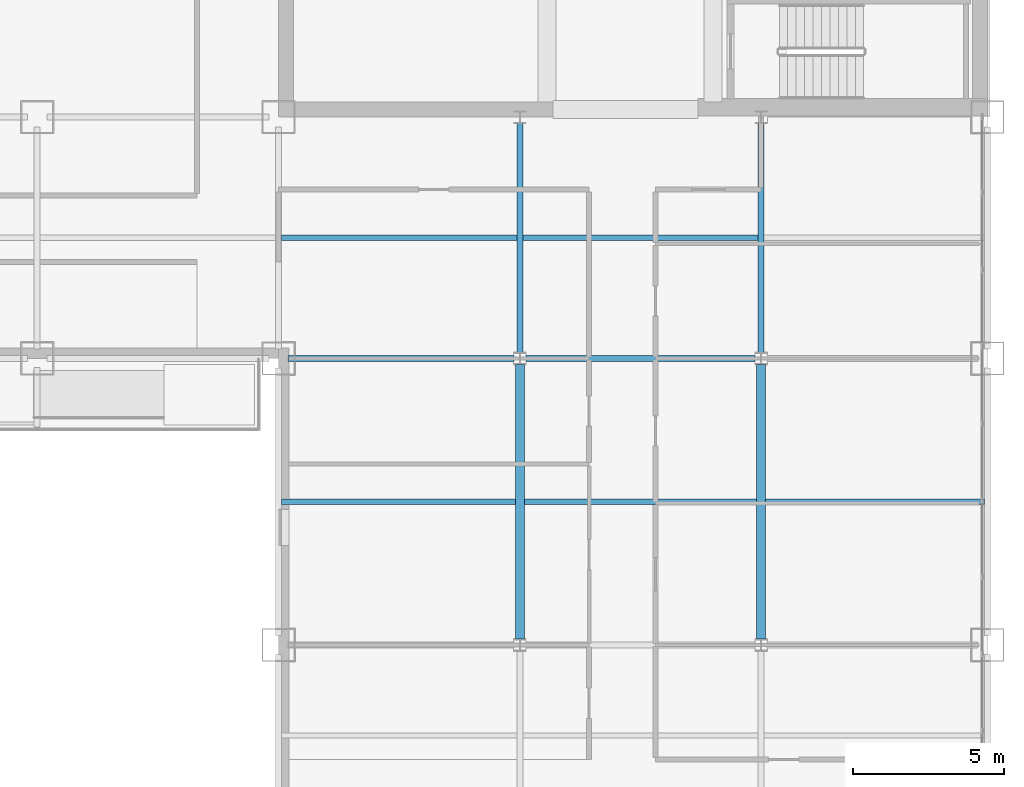
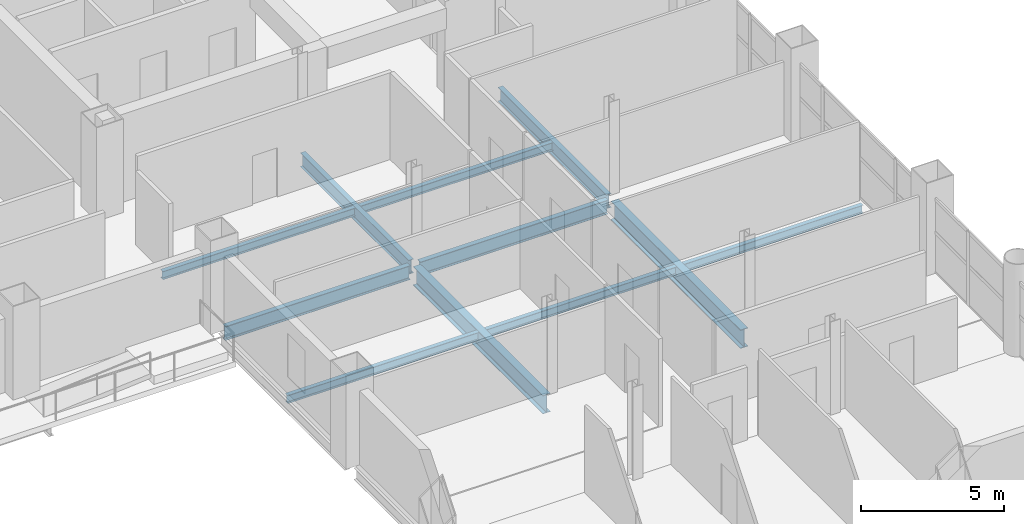
# One storey, part 6 of 16: 11 beams.
"""IFC4 building model written with IfcOpenShell, lengths in metres."""

import ifcopenshell
import ifcopenshell.guid

model = None  # the IFC model being written
_history = None  # IfcOwnerHistory: only IFC2X3 demands one
_inside = {}  # id of a spatial element -> (the spatial element, [elements in it])
_under = {}  # id of a project, library or spatial element -> (it, [spatial elements below it])
_declared = {}  # id of a project -> (the project, [libraries it declares])
_typed = {}  # id of a type object -> (the type object, [elements of that type])
_made_of = {}  # id of a material, layer set ... -> (it, [elements and type objects made of it])


def new_model(schema):
    """Start an empty IFC model of exactly this schema.

    Asked for "IFC4X3", IfcOpenShell would pick the latest addendum, in which some entities
    have other attributes; the version numbers below select the first issue.
    IFC2X3 requires an IfcOwnerHistory on every rooted entity: one is made here for all.
    """
    global model, _history
    if schema == "IFC4X3":
        model = ifcopenshell.file(schema_version=(4, 3, 0, 0))
    else:
        model = ifcopenshell.file(schema=schema)
    _inside.clear()
    _under.clear()
    _declared.clear()
    _typed.clear()
    _made_of.clear()
    _history = None
    if model.schema == "IFC2X3":
        org = make("IfcOrganization", Name="unknown")
        user = make(
            "IfcPersonAndOrganization",
            ThePerson=make("IfcPerson", FamilyName="unknown"),
            TheOrganization=org,
        )
        app = make(
            "IfcApplication",
            ApplicationDeveloper=org,
            Version="unknown",
            ApplicationFullName="unknown",
            ApplicationIdentifier="unknown",
        )
        _history = make(
            "IfcOwnerHistory",
            OwningUser=user,
            OwningApplication=app,
            ChangeAction="ADDED",
            CreationDate=0,
        )
    return model


def make(cls, **values):
    """One entity of the class cls with the attributes given. An attribute that is None is left unset."""
    return model.create_entity(
        cls, **{name: value for name, value in values.items() if value is not None}
    )


def rooted(cls, **values):
    """An entity with a GlobalId (a new one), such as an element, a storey or a relation."""
    return make(cls, GlobalId=ifcopenshell.guid.new(), OwnerHistory=_history, **values)


def si_unit(unit_type, name, prefix=None):
    """IfcSIUnit, for example si_unit("LENGTHUNIT", "METRE", prefix="MILLI")."""
    return make("IfcSIUnit", UnitType=unit_type, Prefix=prefix, Name=name)


def assignment(units):
    """IfcUnitAssignment: the units of a project."""
    return None if units is None else make("IfcUnitAssignment", Units=units)


def point(xyz):
    """IfcCartesianPoint."""
    return None if xyz is None else make("IfcCartesianPoint", Coordinates=xyz)


def direction(xyz):
    """IfcDirection."""
    return None if xyz is None else make("IfcDirection", DirectionRatios=xyz)


def frame(location, z_axis=None, x_axis=None):
    """IfcAxis2Placement3D, a coordinate frame: its origin and axes. An axis left out is left unset."""
    return make(
        "IfcAxis2Placement3D",
        Location=point(location),
        Axis=direction(z_axis),
        RefDirection=direction(x_axis),
    )


def frame_2d(location, x_axis=None):
    """IfcAxis2Placement2D, a coordinate frame in the plane: its origin and x axis."""
    return make(
        "IfcAxis2Placement2D", Location=point(location), RefDirection=direction(x_axis)
    )


def origin():
    """The frame at (0, 0, 0) with its axes left unset."""
    return frame((0.0, 0.0, 0.0))


def origin_2d():
    """The frame at (0, 0) in the plane with its x axis left unset."""
    return frame_2d((0.0, 0.0))


def place(relative_to, where):
    """IfcLocalPlacement: puts the frame where relative to a parent placement (None: the world)."""
    return make(
        "IfcLocalPlacement", PlacementRelTo=relative_to, RelativePlacement=where
    )


def context(
    kind, dimensions, precision=None, world=None, true_north=None, identifier=None
):
    """IfcGeometricRepresentationContext, for example the 3D "Model" context."""
    return make(
        "IfcGeometricRepresentationContext",
        ContextIdentifier=identifier,
        ContextType=kind,
        CoordinateSpaceDimension=dimensions,
        Precision=precision,
        WorldCoordinateSystem=world,
        TrueNorth=true_north,
    )


def subcontext(parent, identifier, kind, view, scale=None):
    """IfcGeometricRepresentationSubContext, for example "Body" below "Model"."""
    return make(
        "IfcGeometricRepresentationSubContext",
        ContextIdentifier=identifier,
        ContextType=kind,
        ParentContext=parent,
        TargetScale=scale,
        TargetView=view,
    )


def project(units=None, contexts=None):
    """IfcProject with its units and contexts."""
    return rooted(
        "IfcProject",
        Name="project",
        RepresentationContexts=contexts,
        UnitsInContext=assignment(units),
    )


def spatial(cls, under=None, at=None, **own):
    """A site, building, storey or space (cls), placed at a placement, below another one or the project."""
    s = rooted(cls, ObjectPlacement=at, **own)
    if under is not None:
        _under.setdefault(under.id(), (under, []))[1].append(s)
    return s


def profile(cls, at=None, kind="AREA", **sizes):
    """A parametric profile (cls). Its sizes go by their IFC names, for example OverallWidth=200.0."""
    return make(cls, ProfileType=kind, Position=at, **sizes)


def i_section(**sizes):
    """IfcIShapeProfileDef."""
    return profile("IfcIShapeProfileDef", **sizes)


def extrude(swept, where, along, depth):
    """IfcExtrudedAreaSolid: the profile swept, set in the frame where, extruded along a direction by depth."""
    return make(
        "IfcExtrudedAreaSolid",
        SweptArea=swept,
        Position=where,
        ExtrudedDirection=direction(along),
        Depth=depth,
    )


def shape(context_of_items, identifier, shape_type, items):
    """IfcShapeRepresentation: the items that make up one representation, for example the "Body"."""
    return make(
        "IfcShapeRepresentation",
        ContextOfItems=context_of_items,
        RepresentationIdentifier=identifier,
        RepresentationType=shape_type,
        Items=items,
    )


def material(Name=None, Category=None):
    """IfcMaterial."""
    return make("IfcMaterial", Name=Name, Category=Category)


def material_profile(
    of_material, cross_section, Name=None, Category=None, Priority=None
):
    """IfcMaterialProfile: a cross section and its material."""
    return make(
        "IfcMaterialProfile",
        Name=Name,
        Material=of_material,
        Profile=cross_section,
        Priority=Priority,
        Category=Category,
    )


def profile_set(profiles, Name=None, composite=None):
    """IfcMaterialProfileSet."""
    return make(
        "IfcMaterialProfileSet",
        Name=Name,
        MaterialProfiles=profiles,
        CompositeProfile=composite,
    )


def made_of(thing, what):
    """Note that an element or type object is made of a material, layer set ...; save() writes the relation."""
    if what is not None:
        _made_of.setdefault(what.id(), (what, []))[1].append(thing)
    return thing


def type_object(cls, material=None, **own):
    """A type object (cls), such as IfcWallType, which elements share."""
    return made_of(rooted(cls, **own), material)


def element(
    cls,
    number,
    at=None,
    inside=None,
    cuts=None,
    type_object=None,
    material=None,
    context=None,
    identifier="Body",
    shape_type=None,
    held_by="IfcProductDefinitionShape",
    body=None,
    shapes=None,
    **own,
):
    """One element of the class cls, such as IfcWall. Its Tag is "e" and its number.

    at: its placement. inside: the storey or other place that contains it. cuts: it is an
    opening in that element (IfcRelVoidsElement). A single representation is given by context,
    identifier, shape_type and body (its items); several are given by shapes. held_by: the class
    of the entity that holds the representations. save() writes the other relations.
    """
    e = rooted(cls, Tag="e%d" % number, ObjectPlacement=at, **own)
    if body is not None:
        shapes = [shape(context, identifier, shape_type, body)]
    if shapes is not None:
        e.Representation = make(held_by, Representations=shapes)
    if inside is not None:
        _inside.setdefault(inside.id(), (inside, []))[1].append(e)
    if cuts is not None:
        rooted(
            "IfcRelVoidsElement", RelatingBuildingElement=cuts, RelatedOpeningElement=e
        )
    if type_object is not None:
        _typed.setdefault(type_object.id(), (type_object, []))[1].append(e)
    return made_of(e, material)


def aggregate(whole, parts):
    """IfcRelAggregates: a whole, such as a stair, and the parts it consists of."""
    return rooted("IfcRelAggregates", RelatingObject=whole, RelatedObjects=parts)


def save(model, path):
    """Write the relations noted so far, then the file.

    IfcRelAggregates (storeys below a building ...), IfcRelContainedInSpatialStructure (elements
    in a storey), IfcRelDefinesByType, IfcRelAssociatesMaterial and IfcRelDeclares: one each for
    every whole, place, type object, material and project.
    """
    for whole, parts in _under.values():
        aggregate(whole, parts)
    for where, things in _inside.values():
        rooted(
            "IfcRelContainedInSpatialStructure",
            RelatedElements=things,
            RelatingStructure=where,
        )
    for kind, things in _typed.values():
        rooted("IfcRelDefinesByType", RelatedObjects=things, RelatingType=kind)
    for what, things in _made_of.values():
        rooted("IfcRelAssociatesMaterial", RelatedObjects=things, RelatingMaterial=what)
    for by, libraries in _declared.values():
        rooted("IfcRelDeclares", RelatingContext=by, RelatedDefinitions=libraries)
    model.write(path)


model = new_model("IFC4")

# Units and contexts
model_context = context("Model", 3, precision=1e-05, world=origin(), true_north=direction((0.0, 1.0)))
body_context = subcontext(model_context, "Body", "Model", "MODEL_VIEW")
ifc_project = project(units=[si_unit("LENGTHUNIT", "METRE"), si_unit("AREAUNIT", "SQUARE_METRE"), si_unit("VOLUMEUNIT", "CUBIC_METRE"), si_unit("PLANEANGLEUNIT", "RADIAN"), si_unit("MASSUNIT", "GRAM", prefix="KILO")], contexts=[model_context])

# Site, building, storey
site_placement = place(None, origin())
site = spatial("IfcSite", under=ifc_project, at=site_placement, CompositionType="ELEMENT")
building_placement = place(site_placement, origin())
building = spatial("IfcBuilding", under=site, at=building_placement, Name="Qianrong Seaharbour Tower", CompositionType="ELEMENT")
storey_placement = place(building_placement, frame((0.0, 0.0, 123.0)))
storey = spatial("IfcBuildingStorey", under=building, at=storey_placement, Name="L29", CompositionType="ELEMENT", Elevation=123.0)

# Beams
ifc_material_1 = material(Name="Structural steel SN490B", Category="steel")
ifc_material_profile_1 = material_profile(ifc_material_1, i_section(OverallWidth=0.199951171875, OverallDepth=0.60009765625, WebThickness=0.010986328125, FlangeThickness=0.01708984375, FilletRadius=0.02197265625, at=origin_2d()), Name="H600x200x11x17")
ifc_profile_set_1 = profile_set([ifc_material_profile_1], Name="Structural steel SN490B")
beam_type_1 = type_object("IfcBeamType", Name="BM-G-600", PredefinedType="BEAM", material=ifc_profile_set_1)
beam_1_placement = place(storey_placement, frame((40.820068359375, 28.0, -0.534912109375), z_axis=(1.0, 0.0, 0.0), x_axis=(0.0, 1.0, 0.0)))
element("IfcBeam", 1, at=beam_1_placement, inside=storey, type_object=beam_type_1, Name="L29 Primary Girder GE G6-G7", PredefinedType="BEAM", context=body_context, shape_type="SweptSolid", body=[
    extrude(i_section(OverallWidth=0.199951171875, OverallDepth=0.60009765625, WebThickness=0.010986328125, FlangeThickness=0.01708984375, FilletRadius=0.02197265625, at=origin_2d()), origin(), (0.0, 0.0, 1.0), 7.47998046875),
])
for number, where, z_axis, x_axis, name in (
    (2, (48.699951171875, 28.0, -0.534912109375), (1.0, 0.0, 0.0), (0.0, 1.0, 0.0), "L29 Primary Girder GE G7-G8"),
    (3, (48.5, 28.199951171875, -0.534912109375), (0.0, 1.0, 0.0), (-1.0, 0.0, 0.0), "L29 Primary Girder G7 GE-GF"),
    (4, (56.5, 28.199951171875, -0.534912109375), (0.0, 1.0, 0.0), (-1.0, 0.0, 0.0), "L29 Primary Girder G8 GE-GF"),
):
    element("IfcBeam", number, at=place(storey_placement, frame(where, z_axis=z_axis, x_axis=x_axis)), inside=storey, type_object=beam_type_1, Name=name, PredefinedType="BEAM", context=body_context, shape_type="SweptSolid", body=[
        extrude(i_section(OverallWidth=0.199951171875, OverallDepth=0.60009765625, WebThickness=0.010986328125, FlangeThickness=0.01708984375, FilletRadius=0.02197265625, at=origin_2d()), origin(), (0.0, 0.0, 1.0), 7.60009765625),
    ])
ifc_material_profile_2 = material_profile(ifc_material_1, i_section(OverallWidth=0.300048828125, OverallDepth=0.800048828125, WebThickness=0.013916015625, FlangeThickness=0.02587890625, FilletRadius=0.028076171875, at=origin_2d()), Name="H800x300x14x26")
ifc_profile_set_2 = profile_set([ifc_material_profile_2], Name="Structural steel SN490B")
beam_type_2 = type_object("IfcBeamType", Name="BM-G-800", PredefinedType="BEAM", material=ifc_profile_set_2)
for number, where, z_axis, x_axis, name in (
    (5, (48.5, 18.699951171875, -0.635009765625), (0.0, 1.0, 0.0), (-1.0, 0.0, 0.0), "L29 Primary Girder G7 GD-GE"),
    (6, (56.5, 18.699951171875, -0.635009765625), (0.0, 1.0, 0.0), (-1.0, 0.0, 0.0), "L29 Primary Girder G8 GD-GE"),
):
    element("IfcBeam", number, at=place(storey_placement, frame(where, z_axis=z_axis, x_axis=x_axis)), inside=storey, type_object=beam_type_2, Name=name, PredefinedType="BEAM", context=body_context, shape_type="SweptSolid", body=[
        extrude(i_section(OverallWidth=0.300048828125, OverallDepth=0.800048828125, WebThickness=0.013916015625, FlangeThickness=0.02587890625, FilletRadius=0.028076171875, at=origin_2d()), origin(), (0.0, 0.0, 1.0), 9.10009765625),
    ])
ifc_material_2 = material(Name="Structural steel SN400B", Category="steel")
ifc_material_profile_3 = material_profile(ifc_material_2, i_section(OverallWidth=0.175048828125, OverallDepth=0.35009765625, WebThickness=0.007080078125, FlangeThickness=0.010986328125, FilletRadius=0.013916015625, at=origin_2d()), Name="H350x175x7x11")
ifc_profile_set_3 = profile_set([ifc_material_profile_3], Name="Structural steel SN400B")
beam_type_3 = type_object("IfcBeamType", Name="BM-J-350", PredefinedType="JOIST", material=ifc_profile_set_3)
beam_2_placement = place(storey_placement, frame((40.60009765625, 23.25, -0.409912109375), z_axis=(1.0, 0.0, 0.0), x_axis=(0.0, 1.0, 0.0)))
element("IfcBeam", 7, at=beam_2_placement, inside=storey, type_object=beam_type_3, Name="L29 Composite Floor Joist G6-G7/GD-GE", PredefinedType="JOIST", context=body_context, shape_type="SweptSolid", body=[
    extrude(i_section(OverallWidth=0.175048828125, OverallDepth=0.35009765625, WebThickness=0.007080078125, FlangeThickness=0.010986328125, FilletRadius=0.013916015625, at=origin_2d()), origin(), (0.0, 0.0, 1.0), 7.75),
])
beam_3_placement = place(storey_placement, frame((40.60009765625, 32.0, -0.409912109375), z_axis=(1.0, 0.0, 0.0), x_axis=(0.0, 1.0, 0.0)))
element("IfcBeam", 8, at=beam_3_placement, inside=storey, type_object=beam_type_3, Name="L29 Composite Floor Joist G6-G7/GE-GF", PredefinedType="JOIST", context=body_context, shape_type="SweptSolid", body=[
    extrude(i_section(OverallWidth=0.175048828125, OverallDepth=0.35009765625, WebThickness=0.007080078125, FlangeThickness=0.010986328125, FilletRadius=0.013916015625, at=origin_2d()), origin(), (0.0, 0.0, 1.0), 7.7998046875),
])
beam_4_placement = place(storey_placement, frame((48.64990234375, 23.25, -0.409912109375), z_axis=(1.0, 0.0, 0.0), x_axis=(0.0, 1.0, 0.0)))
element("IfcBeam", 9, at=beam_4_placement, inside=storey, type_object=beam_type_3, Name="L29 Composite Floor Joist G7-G8/GD-GE", PredefinedType="JOIST", context=body_context, shape_type="SweptSolid", body=[
    extrude(i_section(OverallWidth=0.175048828125, OverallDepth=0.35009765625, WebThickness=0.007080078125, FlangeThickness=0.010986328125, FilletRadius=0.013916015625, at=origin_2d()), origin(), (0.0, 0.0, 1.0), 7.7001953125),
])
beam_5_placement = place(storey_placement, frame((48.60009765625, 32.0, -0.409912109375), z_axis=(1.0, 0.0, 0.0), x_axis=(0.0, 1.0, 0.0)))
element("IfcBeam", 10, at=beam_5_placement, inside=storey, type_object=beam_type_3, Name="L29 Composite Floor Joist G7-G8/GE-GF", PredefinedType="JOIST", context=body_context, shape_type="SweptSolid", body=[
    extrude(i_section(OverallWidth=0.175048828125, OverallDepth=0.35009765625, WebThickness=0.007080078125, FlangeThickness=0.010986328125, FilletRadius=0.013916015625, at=origin_2d()), origin(), (0.0, 0.0, 1.0), 7.7998046875),
])
beam_6_placement = place(storey_placement, frame((56.64990234375, 23.25, -0.409912109375), z_axis=(1.0, 0.0, 0.0), x_axis=(0.0, 1.0, 0.0)))
element("IfcBeam", 11, at=beam_6_placement, inside=storey, type_object=beam_type_3, Name="L29 Composite Floor Joist G8-G9/GD-GE", PredefinedType="JOIST", context=body_context, shape_type="SweptSolid", body=[
    extrude(i_section(OverallWidth=0.175048828125, OverallDepth=0.35009765625, WebThickness=0.007080078125, FlangeThickness=0.010986328125, FilletRadius=0.013916015625, at=origin_2d()), origin(), (0.0, 0.0, 1.0), 7.25),
])

save(model, "model.ifc")
